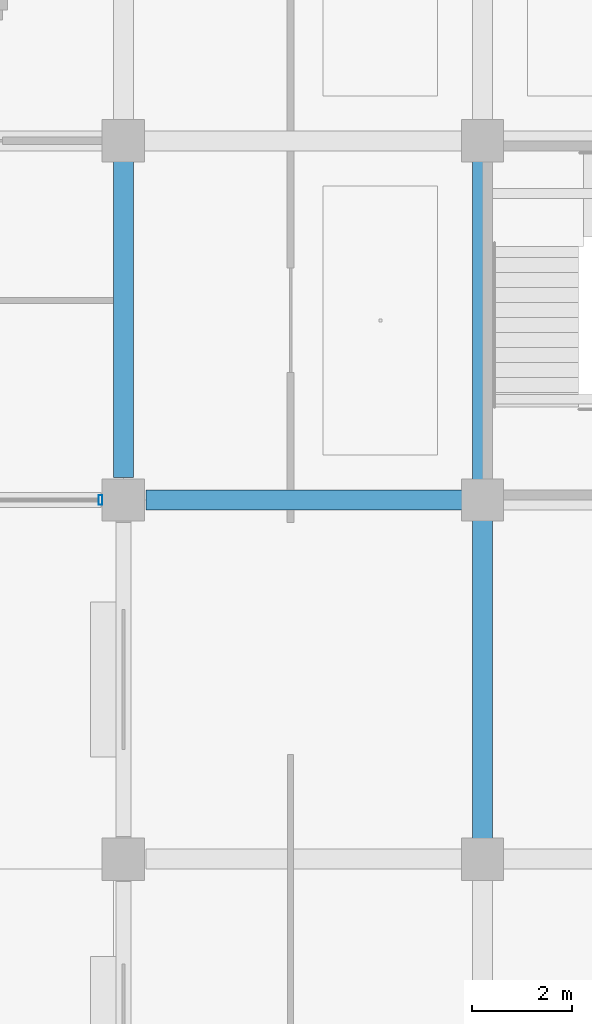
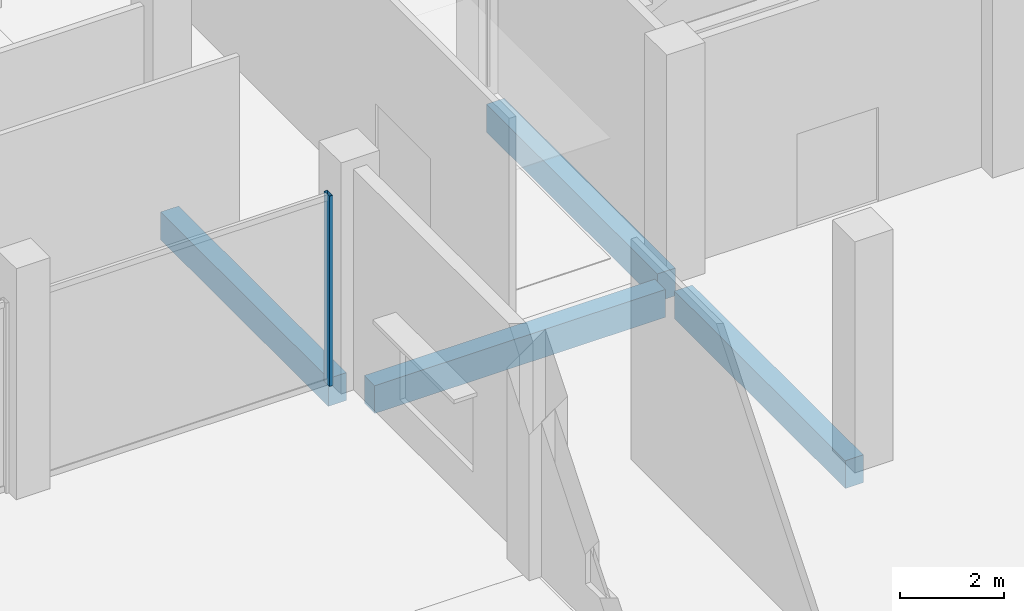
# One storey, part 46 of 90: 4 beams, 1 member, 1 element without a shape of its own.
"""IFC4 building model written with IfcOpenShell, lengths in metres."""

from ifc_helpers import new_model, si_unit, direction, frame, origin, origin_2d, place, context, subcontext, project, spatial, rectangle, hollow_rectangle, extrude, material, layer, layer_set, material_profile, profile_set, type_object, element, aggregate, save


model = new_model("IFC4")

# Units and contexts
model_context = context("Model", 3, precision=1e-05, world=origin(), true_north=direction((0.0, 1.0)))
body_context = subcontext(model_context, "Body", "Model", "MODEL_VIEW")
ifc_project = project(units=[si_unit("LENGTHUNIT", "METRE"), si_unit("AREAUNIT", "SQUARE_METRE"), si_unit("VOLUMEUNIT", "CUBIC_METRE"), si_unit("PLANEANGLEUNIT", "RADIAN"), si_unit("MASSUNIT", "GRAM", prefix="KILO")], contexts=[model_context])

# Site, building, storey
site_placement = place(None, origin())
site = spatial("IfcSite", under=ifc_project, at=site_placement, CompositionType="ELEMENT")
building_placement = place(site_placement, origin())
building = spatial("IfcBuilding", under=site, at=building_placement, Name="Kangsadwip Square Police Headquarters", CompositionType="ELEMENT")
storey_placement = place(building_placement, origin())
storey = spatial("IfcBuildingStorey", under=building, at=storey_placement, Name="L00", CompositionType="ELEMENT", Elevation=0.0)

# Curtain wall, member
ifc_material_1 = material(Name="Thermally broken anodised aluminium AW-6063-T6", Category="aluminium")
ifc_layer = layer(ifc_material_1, 0.159912109375)
ifc_layer_set = layer_set([ifc_layer], Name="Thermally broken anodised aluminium AW-6063-T6")
curtain_wall_type = type_object("IfcCurtainWallType", Name="CourtScreen6410x4450", PredefinedType="USERDEFINED", material=ifc_layer_set)
curtain_wall_placement = place(storey_placement, origin())
curtain_wall = element("IfcCurtainWall", 1, at=curtain_wall_placement, inside=storey, type_object=curtain_wall_type, Name="Curtain Wall CW-L00-1372-0936", ObjectType="GLAZED_SCREEN", PredefinedType="USERDEFINED")
ifc_material_2 = material(Name="Thermally broken anodised aluminium AW-6063-T6", Category="aluminium")
ifc_material_profile_1 = material_profile(ifc_material_2, hollow_rectangle(XDim=0.074951171875, YDim=0.199951171875, WallThickness=0.0048828125, at=origin_2d()), Name="CWM 200X75X5")
ifc_profile_set_1 = profile_set([ifc_material_profile_1], Name="Thermally broken anodised aluminium AW-6063-T6")
member_type = type_object("IfcMemberType", Name="CwMullion180x75", PredefinedType="MULLION", material=ifc_profile_set_1)
member_placement = place(storey_placement, frame((143.54248046875, 93.60009765625, 0.0), z_axis=(0.0, 0.0, 1.0), x_axis=(1.0, 0.0, 0.0)))
member = element("IfcMember", 2, at=member_placement, type_object=member_type, Name="CW-05 mullion 2", PredefinedType="MULLION", context=body_context, shape_type="SweptSolid", body=[
    extrude(hollow_rectangle(XDim=0.074951171875, YDim=0.199951171875, WallThickness=0.0048828125, at=origin_2d()), origin(), (0.0, 0.0, 1.0), 4.449951171875),
])
aggregate(curtain_wall, [member])

# Beams
ifc_material_3 = material(Name="Concrete M35 (35 MPa)", Category="concrete")
ifc_material_profile_2 = material_profile(ifc_material_3, rectangle(XDim=0.39990234375, YDim=0.64990234375, at=origin_2d()), Name="RC BM 650X400")
ifc_profile_set_2 = profile_set([ifc_material_profile_2], Name="Concrete M35 (35 MPa)")
beam_type = type_object("IfcBeamType", Name="RcBeam650x400", PredefinedType="BEAM", material=ifc_profile_set_2)
for number, where, z_axis, x_axis, name in (
    (3, (144.449951171875, 93.60009765625, -0.574951171875), (1.0, 0.0, 0.0), (0.0, 1.0, 0.0), "Beam BM-L00-X-20-13"),
    (4, (144.0, 94.050048828125, -0.574951171875), (0.0, 1.0, 0.0), (-1.0, 0.0, 0.0), "Beam BM-L00-Y-20-13"),
):
    element("IfcBeam", number, at=place(storey_placement, frame(where, z_axis=z_axis, x_axis=x_axis)), inside=storey, type_object=beam_type, Name=name, PredefinedType="BEAM", context=body_context, shape_type="SweptSolid", body=[
        extrude(rectangle(XDim=0.39990234375, YDim=0.64990234375, at=origin_2d()), origin(), (0.0, 0.0, 1.0), 6.425048828125),
    ])
beam_1_placement = place(storey_placement, frame((151.199951171875, 86.72509765625, -0.574951171875), z_axis=(0.0, 1.0, 0.0), x_axis=(-1.0, 0.0, 0.0)))
element("IfcBeam", 5, at=beam_1_placement, inside=storey, type_object=beam_type, Name="Beam BM-L00-Y-21-12", PredefinedType="BEAM", context=body_context, shape_type="SweptSolid", body=[
    extrude(rectangle(XDim=0.39990234375, YDim=0.64990234375, at=origin_2d()), origin(), (0.0, 0.0, 1.0), 6.5498046875),
])
beam_2_placement = place(storey_placement, frame((151.199951171875, 93.925048828125, -0.574951171875), z_axis=(0.0, 1.0, 0.0), x_axis=(-1.0, 0.0, 0.0)))
element("IfcBeam", 6, at=beam_2_placement, inside=storey, type_object=beam_type, Name="Beam BM-L00-Y-21-13", PredefinedType="BEAM", context=body_context, shape_type="SweptSolid", body=[
    extrude(rectangle(XDim=0.39990234375, YDim=0.64990234375, at=origin_2d()), origin(), (0.0, 0.0, 1.0), 6.550048828125),
])

save(model, "model.ifc")
